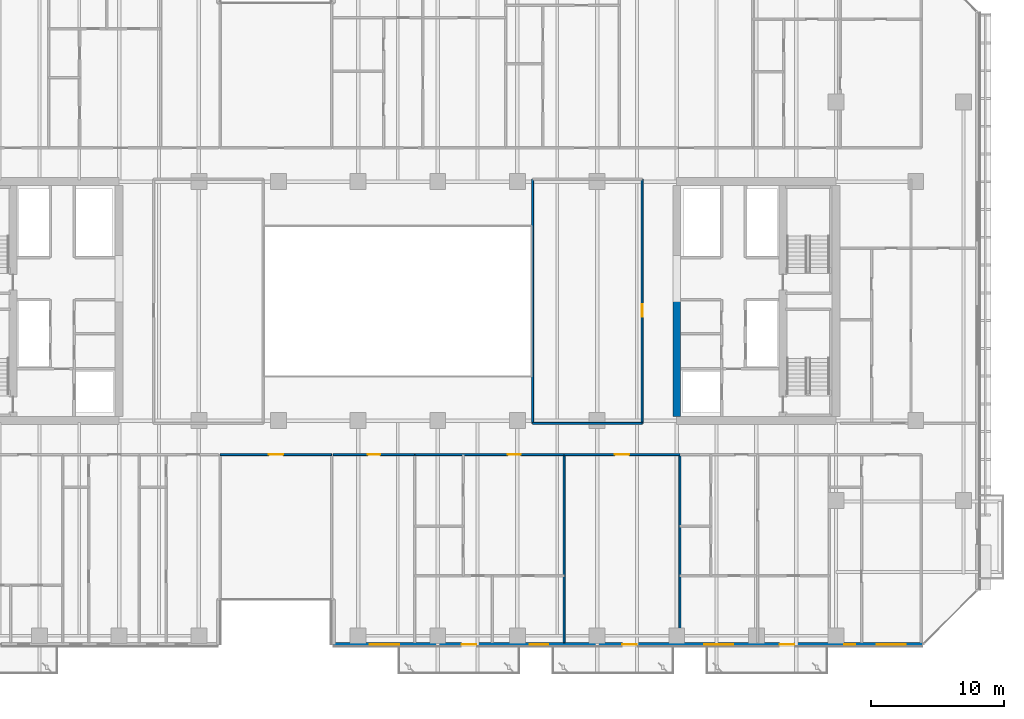
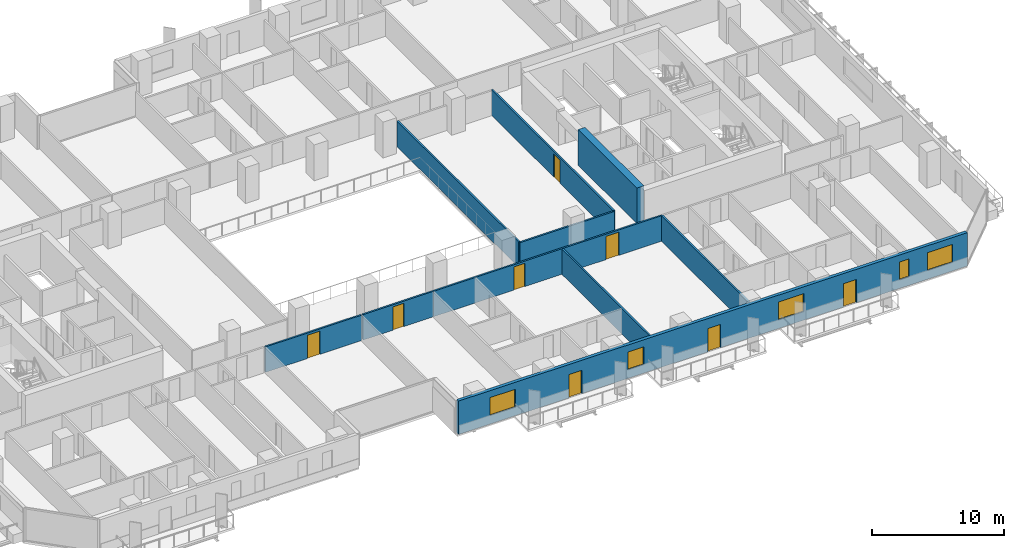
# One storey, part 19 of 33: 11 walls, 8 doors, 5 windows, 13 openings.
"""IFC4 building model written with IfcOpenShell, lengths in metres."""

from ifc_helpers import new_model, si_unit, direction, frame, frame_2d, origin, place, context, subcontext, project, spatial, rectangle, extrude, material, layer, layer_set, type_object, element, fill, save


model = new_model("IFC4")

# Units and contexts
model_context = context("Model", 3, precision=1e-05, world=origin(), true_north=direction((0.0, 1.0)))
body_context = subcontext(model_context, "Body", "Model", "MODEL_VIEW")
ifc_project = project(units=[si_unit("LENGTHUNIT", "METRE"), si_unit("AREAUNIT", "SQUARE_METRE"), si_unit("VOLUMEUNIT", "CUBIC_METRE"), si_unit("PLANEANGLEUNIT", "RADIAN"), si_unit("MASSUNIT", "GRAM", prefix="KILO")], contexts=[model_context])

# Site, building, storey
site_placement = place(None, origin())
site = spatial("IfcSite", under=ifc_project, at=site_placement, CompositionType="ELEMENT")
building_placement = place(site_placement, origin())
building = spatial("IfcBuilding", under=site, at=building_placement, Name="Tanjung Sevakor Pilgrim Tower", CompositionType="ELEMENT")
storey_placement = place(building_placement, frame((0.0, 0.0, 35.639892578125)))
storey = spatial("IfcBuildingStorey", under=building, at=storey_placement, Name="L09", CompositionType="ELEMENT", Elevation=35.639892578125)

# Walls
ifc_material_1 = material(Name="Concrete C60/75", Category="concrete")
ifc_layer_1 = layer(ifc_material_1, 0.60009765625)
ifc_layer_set_1 = layer_set([ifc_layer_1], Name="WALL-CW-600")
wall_type_1 = type_object("IfcWallType", Name="WALL-CW-600", PredefinedType="SHEAR", material=ifc_layer_set_1)
wall_1_placement = place(storey_placement, frame((78.0, 24.89990234375, 0.0), z_axis=(0.0, 0.0, 1.0), x_axis=(0.0, 1.0, 0.0)))
element("IfcWall", 1, at=wall_1_placement, inside=storey, type_object=wall_type_1, Name="L09 E Core Inner Shear Wall South", PredefinedType="SHEAR", context=body_context, shape_type="SweptSolid", body=[
    extrude(rectangle(XDim=8.900146484375, YDim=0.60009765625, at=frame_2d((4.4501953125, 0.0))), origin(), (0.0, 0.0, 1.0), 3.300048828125),
])
ifc_material_2 = material(Name="Concrete C40/50", Category="concrete")
ifc_layer_2 = layer(ifc_material_2, 0.14990234375)
ifc_layer_set_2 = layer_set([ifc_layer_2], Name="WT-COMP-150")
wall_type_2 = type_object("IfcWallType", Name="WT-COMP-150", PredefinedType="SOLIDWALL", material=ifc_layer_set_2)
wall_2_placement = place(storey_placement, frame((67.14990234375, 24.39990234375, 0.0), z_axis=(0.0, 0.0, 1.0), x_axis=(1.0, 0.0, 0.0)))
element("IfcWall", 2, at=wall_2_placement, inside=storey, type_object=wall_type_2, Name="L09 Partition IW-L09-027", PredefinedType="SOLIDWALL", context=body_context, shape_type="SweptSolid", body=[
    extrude(rectangle(XDim=8.25, YDim=0.14990234375, at=frame_2d((4.125, 0.0))), origin(), (0.0, 0.0, 1.0), 2.295166015625),
])
wall_3_placement = place(storey_placement, frame((67.14990234375, 24.39990234375, 0.0), z_axis=(0.0, 0.0, 1.0), x_axis=(0.0, 1.0, 0.0)))
element("IfcWall", 3, at=wall_3_placement, inside=storey, type_object=wall_type_2, Name="L09 Partition IW-L09-029", PredefinedType="SOLIDWALL", context=body_context, shape_type="SweptSolid", body=[
    extrude(rectangle(XDim=18.400146484375, YDim=0.14990234375, at=frame_2d((9.2001953125, 0.0))), origin(), (0.0, 0.0, 1.0), 2.35009765625),
])

# Wall, opening, door
wall_4_placement = place(storey_placement, frame((75.39990234375, 24.39990234375, 0.0), z_axis=(0.0, 0.0, 1.0), x_axis=(0.0, 1.0, 0.0)))
wall_4 = element("IfcWall", 4, at=wall_4_placement, inside=storey, type_object=wall_type_2, Name="L09 Partition IW-L09-030", PredefinedType="SOLIDWALL", context=body_context, shape_type="SweptSolid", body=[
    extrude(rectangle(XDim=18.400146484375, YDim=0.14990234375, at=frame_2d((9.2001953125, 0.0))), origin(), (0.0, 0.0, 1.0), 2.35009765625),
])
opening_1_placement = place(wall_4_placement, frame((8.02490234375, 0.0, 0.0)))
opening_1 = element("IfcOpeningElement", 5, at=opening_1_placement, cuts=wall_4, Name="Opening ID-RM1", PredefinedType="OPENING", context=body_context, shape_type="SweptSolid", body=[
    extrude(rectangle(XDim=0.949951171875, YDim=2.14990234375, at=frame_2d((0.47509765625, 1.074951171875))), frame((0.0, 0.0849609375, 0.0), z_axis=(0.0, -1.0, 0.0), x_axis=(1.0, 0.0, 0.0)), (0.0, 0.0, 1.0), 0.169921875),
])
ifc_material_3 = material(Name="Hardwood Timber", Category="wood")
door_type_1 = type_object("IfcDoorType", Name="DT-INT-950", OperationType="NOTDEFINED", PredefinedType="DOOR", material=ifc_material_3)
door_1_placement = place(opening_1_placement, origin())
door_1 = element("IfcDoor", 6, at=door_1_placement, inside=storey, type_object=door_type_1, Name="L09 Central East Room Door", OperationType="SINGLE_SWING_LEFT", OverallHeight=2.14990234375, OverallWidth=0.949951171875, PredefinedType="DOOR", context=body_context, shape_type="SweptSolid", body=[
    extrude(rectangle(XDim=0.949951171875, YDim=2.14990234375, at=frame_2d((0.47509765625, 1.074951171875))), frame((0.0, 0.02490234375, 0.0), z_axis=(0.0, -1.0, 0.0), x_axis=(1.0, 0.0, 0.0)), (0.0, 0.0, 1.0), 0.050048828125),
])
fill(opening_1, door_1)

wall_5_placement = place(storey_placement, frame((43.60009765625, 22.050048828125, 0.0), z_axis=(0.0, 0.0, 1.0), x_axis=(1.0, 0.0, 0.0)))
wall_5 = element("IfcWall", 7, at=wall_5_placement, inside=storey, type_object=wall_type_2, Name="L09 Partition IW-L09-038", PredefinedType="SOLIDWALL", context=body_context, shape_type="SweptSolid", body=[
    extrude(rectangle(XDim=8.39990234375, YDim=0.14990234375, at=frame_2d((4.199951171875, 0.0))), origin(), (0.0, 0.0, 1.0), 2.35009765625),
])
opening_2_placement = place(wall_5_placement, frame((3.64990234375, 0.0, 0.0)))
opening_2 = element("IfcOpeningElement", 8, at=opening_2_placement, cuts=wall_5, Name="Opening ID-RM2", PredefinedType="OPENING", context=body_context, shape_type="SweptSolid", body=[
    extrude(rectangle(XDim=1.10009765625, YDim=2.14990234375, at=frame_2d((0.550048828125, 1.074951171875))), frame((0.0, 0.0849609375, 0.0), z_axis=(0.0, -1.0, 0.0), x_axis=(1.0, 0.0, 0.0)), (0.0, 0.0, 1.0), 0.169921875),
])
ifc_material_4 = material(Name="Hardwood Timber", Category="wood")
door_type_2 = type_object("IfcDoorType", Name="DT-INT-1100", OperationType="NOTDEFINED", PredefinedType="DOOR", material=ifc_material_4)
door_2_placement = place(opening_2_placement, origin())
door_2 = element("IfcDoor", 9, at=door_2_placement, inside=storey, type_object=door_type_2, Name="L09 South Cleft Observatory Door", OperationType="SINGLE_SWING_LEFT", OverallHeight=2.14990234375, OverallWidth=1.10009765625, PredefinedType="DOOR", context=body_context, shape_type="SweptSolid", body=[
    extrude(rectangle(XDim=1.10009765625, YDim=2.14990234375, at=frame_2d((0.550048828125, 1.074951171875))), frame((0.0, 0.02490234375, 0.0), z_axis=(0.0, -1.0, 0.0), x_axis=(1.0, 0.0, 0.0)), (0.0, 0.0, 1.0), 0.050048828125),
])
fill(opening_2, door_2)

wall_6_placement = place(storey_placement, frame((52.1201171875, 22.050048828125, 0.0), z_axis=(0.0, 0.0, 1.0), x_axis=(1.0, 0.0, 0.0)))
wall_6 = element("IfcWall", 10, at=wall_6_placement, inside=storey, type_object=wall_type_2, Name="L09 Partition IW-L09-060", PredefinedType="SOLIDWALL", context=body_context, shape_type="SweptSolid", body=[
    extrude(rectangle(XDim=6.142822265625, YDim=0.14990234375, at=frame_2d((3.0712890625, 0.0))), origin(), (0.0, 0.0, 1.0), 2.35009765625),
])
opening_3_placement = place(wall_6_placement, frame((2.596435546875, 0.0, 0.0)))
opening_3 = element("IfcOpeningElement", 11, at=opening_3_placement, cuts=wall_6, Name="Opening ID-FD2", PredefinedType="OPENING", context=body_context, shape_type="SweptSolid", body=[
    extrude(rectangle(XDim=0.949951171875, YDim=2.14990234375, at=frame_2d((0.47509765625, 1.074951171875))), frame((0.0, 0.0849609375, 0.0), z_axis=(0.0, -1.0, 0.0), x_axis=(1.0, 0.0, 0.0)), (0.0, 0.0, 1.0), 0.169921875),
])
ifc_material_5 = material(Name="Fire-Rated Timber", Category="wood")
door_type_3 = type_object("IfcDoorType", Name="DT-FIRE-950", OperationType="NOTDEFINED", PredefinedType="DOOR", material=ifc_material_5)
door_3_placement = place(opening_3_placement, origin())
door_3 = element("IfcDoor", 12, at=door_3_placement, inside=storey, type_object=door_type_3, Name="Housekeeping Pantry Door", OperationType="SINGLE_SWING_RIGHT", OverallHeight=2.14990234375, OverallWidth=0.949951171875, PredefinedType="DOOR", context=body_context, shape_type="SweptSolid", body=[
    extrude(rectangle(XDim=0.949951171875, YDim=2.14990234375, at=frame_2d((0.47509765625, 1.074951171875))), frame((0.0, 0.02490234375, 0.0), z_axis=(0.0, -1.0, 0.0), x_axis=(1.0, 0.0, 0.0)), (0.0, 0.0, 1.0), 0.050048828125),
])
fill(opening_3, door_3)

# Wall
wall_7_placement = place(storey_placement, frame((69.52490234375, 7.8798828125, 0.0), z_axis=(0.0, 0.0, 1.0), x_axis=(0.0, 1.0, 0.0)))
element("IfcWall", 13, at=wall_7_placement, inside=storey, type_object=wall_type_2, Name="L09 Partition IW-L09-061", PredefinedType="SOLIDWALL", context=body_context, shape_type="SweptSolid", body=[
    extrude(rectangle(XDim=14.170166015625, YDim=0.14990234375, at=frame_2d((7.0849609375, 0.0))), origin(), (0.0, 0.0, 1.0), 2.35009765625),
])

# Wall, opening, door
wall_8_placement = place(storey_placement, frame((58.262939453125, 22.050048828125, 0.0), z_axis=(0.0, 0.0, 1.0), x_axis=(1.0, 0.0, 0.0)))
wall_8 = element("IfcWall", 14, at=wall_8_placement, inside=storey, type_object=wall_type_2, Name="L09 Partition IW-L09-066", PredefinedType="SOLIDWALL", context=body_context, shape_type="SweptSolid", body=[
    extrude(rectangle(XDim=11.261962890625, YDim=0.14990234375, at=frame_2d((5.630859375, 0.0))), origin(), (0.0, 0.0, 1.0), 2.35009765625),
])
opening_4_placement = place(wall_8_placement, frame((7.0244140625, 0.0, 0.0)))
opening_4 = element("IfcOpeningElement", 15, at=opening_4_placement, cuts=wall_8, Name="Opening ID-FD2", PredefinedType="OPENING", context=body_context, shape_type="SweptSolid", body=[
    extrude(rectangle(XDim=0.949951171875, YDim=2.14990234375, at=frame_2d((0.47509765625, 1.074951171875))), frame((0.0, 0.0849609375, 0.0), z_axis=(0.0, -1.0, 0.0), x_axis=(1.0, 0.0, 0.0)), (0.0, 0.0, 1.0), 0.169921875),
])
door_4_placement = place(opening_4_placement, origin())
door_4 = element("IfcDoor", 16, at=door_4_placement, inside=storey, type_object=door_type_3, Name="Suite Entrance", OperationType="SINGLE_SWING_LEFT", OverallHeight=2.14990234375, OverallWidth=0.949951171875, PredefinedType="DOOR", context=body_context, shape_type="SweptSolid", body=[
    extrude(rectangle(XDim=0.949951171875, YDim=2.14990234375, at=frame_2d((0.47509765625, 1.074951171875))), frame((0.0, 0.02490234375, 0.0), z_axis=(0.0, -1.0, 0.0), x_axis=(1.0, 0.0, 0.0)), (0.0, 0.0, 1.0), 0.050048828125),
])
fill(opening_4, door_4)

# Wall
wall_9_placement = place(storey_placement, frame((78.227294921875, 7.8798828125, 0.0), z_axis=(0.0, 0.0, 1.0), x_axis=(0.0, 1.0, 0.0)))
element("IfcWall", 17, at=wall_9_placement, inside=storey, type_object=wall_type_2, Name="L09 Partition IW-L09-067", PredefinedType="SOLIDWALL", context=body_context, shape_type="SweptSolid", body=[
    extrude(rectangle(XDim=14.170166015625, YDim=0.14990234375, at=frame_2d((7.0849609375, 0.0))), origin(), (0.0, 0.0, 1.0), 2.35009765625),
])

# Wall, opening, door
wall_10_placement = place(storey_placement, frame((69.52490234375, 22.050048828125, 0.0), z_axis=(0.0, 0.0, 1.0), x_axis=(1.0, 0.0, 0.0)))
wall_10 = element("IfcWall", 18, at=wall_10_placement, inside=storey, type_object=wall_type_2, Name="L09 Partition IW-L09-068", PredefinedType="SOLIDWALL", context=body_context, shape_type="SweptSolid", body=[
    extrude(rectangle(XDim=8.702392578125, YDim=0.14990234375, at=frame_2d((4.35107421875, 0.0))), origin(), (0.0, 0.0, 1.0), 2.35009765625),
])
opening_5_placement = place(wall_10_placement, frame((3.80126953125, 0.0, 0.0)))
opening_5 = element("IfcOpeningElement", 19, at=opening_5_placement, cuts=wall_10, Name="Opening ID-FD0", PredefinedType="OPENING", context=body_context, shape_type="SweptSolid", body=[
    extrude(rectangle(XDim=1.10009765625, YDim=2.14990234375, at=frame_2d((0.550048828125, 1.074951171875))), frame((0.0, 0.0849609375, 0.0), z_axis=(0.0, -1.0, 0.0), x_axis=(1.0, 0.0, 0.0)), (0.0, 0.0, 1.0), 0.169921875),
])
ifc_material_6 = material(Name="Fire-Rated Steel S355J2", Category="steel")
door_type_4 = type_object("IfcDoorType", Name="DT-FIRE-1100", OperationType="NOTDEFINED", PredefinedType="DOOR", material=ifc_material_6)
door_5_placement = place(opening_5_placement, origin())
door_5 = element("IfcDoor", 20, at=door_5_placement, inside=storey, type_object=door_type_4, Name="Communal Lounge Door", OperationType="SINGLE_SWING_RIGHT", OverallHeight=2.14990234375, OverallWidth=1.10009765625, PredefinedType="DOOR", context=body_context, shape_type="SweptSolid", body=[
    extrude(rectangle(XDim=1.10009765625, YDim=2.14990234375, at=frame_2d((0.550048828125, 1.074951171875))), frame((0.0, 0.02490234375, 0.0), z_axis=(0.0, -1.0, 0.0), x_axis=(1.0, 0.0, 0.0)), (0.0, 0.0, 1.0), 0.050048828125),
])
fill(opening_5, door_5)

# Wall, openings, doors, windows
ifc_material_7 = material(Name="Precast concrete C45/55", Category="concrete")
ifc_layer_3 = layer(ifc_material_7, 0.280029296875)
ifc_layer_set_3 = layer_set([ifc_layer_3], Name="WT-EW-STN2")
wall_type_3 = type_object("IfcWallType", Name="WT-EW-STN2", PredefinedType="SOLIDWALL", material=ifc_layer_set_3)
wall_11_placement = place(storey_placement, frame((52.139892578125, 7.739990234375, 0.0), z_axis=(0.0, 0.0, 1.0), x_axis=(1.0, 0.0, 0.0)))
wall_11 = element("IfcWall", 21, at=wall_11_placement, inside=storey, type_object=wall_type_3, Name="L09 MAIN Exterior Wall 5", PredefinedType="SOLIDWALL", context=body_context, shape_type="SweptSolid", body=[
    extrude(rectangle(XDim=44.402099609375, YDim=0.280029296875, at=frame_2d((22.201171875, 0.0))), origin(), (0.0, 0.0, 1.0), 3.080078125),
])
opening_6_placement = place(wall_11_placement, frame((9.659912109375, 0.0, 0.0)))
opening_6 = element("IfcOpeningElement", 22, at=opening_6_placement, cuts=wall_11, Name="Opening ED-BAL-1100", PredefinedType="OPENING", context=body_context, shape_type="SweptSolid", body=[
    extrude(rectangle(XDim=1.10009765625, YDim=2.14990234375, at=frame_2d((0.550048828125, 1.074951171875))), frame((0.0, 0.14990234375, 0.0), z_axis=(0.0, -1.0, 0.0), x_axis=(1.0, 0.0, 0.0)), (0.0, 0.0, 1.0), 0.300048828125),
])
opening_7_placement = place(wall_11_placement, frame((21.760009765625, 0.0, 0.0)))
opening_7 = element("IfcOpeningElement", 23, at=opening_7_placement, cuts=wall_11, Name="Opening ED-BAL-1100", PredefinedType="OPENING", context=body_context, shape_type="SweptSolid", body=[
    extrude(rectangle(XDim=1.10009765625, YDim=2.14990234375, at=frame_2d((0.550048828125, 1.074951171875))), frame((0.0, 0.14990234375, 0.0), z_axis=(0.0, -1.0, 0.0), x_axis=(1.0, 0.0, 0.0)), (0.0, 0.0, 1.0), 0.300048828125),
])
opening_8_placement = place(wall_11_placement, frame((33.610107421875, 0.0, 0.0)))
opening_8 = element("IfcOpeningElement", 24, at=opening_8_placement, cuts=wall_11, Name="Opening ED-BAL-1100", PredefinedType="OPENING", context=body_context, shape_type="SweptSolid", body=[
    extrude(rectangle(XDim=1.10009765625, YDim=2.14990234375, at=frame_2d((0.550048828125, 1.074951171875))), frame((0.0, 0.14990234375, 0.0), z_axis=(0.0, -1.0, 0.0), x_axis=(1.0, 0.0, 0.0)), (0.0, 0.0, 1.0), 0.300048828125),
])
opening_9_placement = place(wall_11_placement, frame((2.75146484375, 0.0, 0.780029296875)))
opening_9 = element("IfcOpeningElement", 25, at=opening_9_placement, cuts=wall_11, Name="Opening WN-Z1-1660", PredefinedType="OPENING", context=body_context, shape_type="SweptSolid", body=[
    extrude(rectangle(XDim=2.199951171875, YDim=1.659912109375, at=frame_2d((1.10009765625, 0.830078125))), frame((0.0, 0.14990234375, 0.0), z_axis=(0.0, -1.0, 0.0), x_axis=(1.0, 0.0, 0.0)), (0.0, 0.0, 1.0), 0.300048828125),
])
opening_10_placement = place(wall_11_placement, frame((14.77197265625, 0.0, 0.780029296875)))
opening_10 = element("IfcOpeningElement", 26, at=opening_10_placement, cuts=wall_11, Name="Opening WN-END", PredefinedType="OPENING", context=body_context, shape_type="SweptSolid", body=[
    extrude(rectangle(XDim=1.39990234375, YDim=1.64990234375, at=frame_2d((0.699951171875, 0.824951171875))), frame((0.0, 0.14990234375, 0.0), z_axis=(0.0, -1.0, 0.0), x_axis=(1.0, 0.0, 0.0)), (0.0, 0.0, 1.0), 0.300048828125),
])
opening_11_placement = place(wall_11_placement, frame((27.92529296875, 0.0, 0.780029296875)))
opening_11 = element("IfcOpeningElement", 27, at=opening_11_placement, cuts=wall_11, Name="Opening WN-Z1-1660", PredefinedType="OPENING", context=body_context, shape_type="SweptSolid", body=[
    extrude(rectangle(XDim=2.199951171875, YDim=1.659912109375, at=frame_2d((1.10009765625, 0.830078125))), frame((0.0, 0.14990234375, 0.0), z_axis=(0.0, -1.0, 0.0), x_axis=(1.0, 0.0, 0.0)), (0.0, 0.0, 1.0), 0.300048828125),
])
opening_12_placement = place(wall_11_placement, frame((38.4697265625, 0.0, 0.780029296875)))
opening_12 = element("IfcOpeningElement", 28, at=opening_12_placement, cuts=wall_11, Name="Opening WN-SLM", PredefinedType="OPENING", context=body_context, shape_type="SweptSolid", body=[
    extrude(rectangle(XDim=0.85009765625, YDim=1.64990234375, at=frame_2d((0.425048828125, 0.824951171875))), frame((0.0, 0.14990234375, 0.0), z_axis=(0.0, -1.0, 0.0), x_axis=(1.0, 0.0, 0.0)), (0.0, 0.0, 1.0), 0.300048828125),
])
opening_13_placement = place(wall_11_placement, frame((40.909912109375, 0.0, 0.780029296875)))
opening_13 = element("IfcOpeningElement", 29, at=opening_13_placement, cuts=wall_11, Name="Opening WN-Z1-1660", PredefinedType="OPENING", context=body_context, shape_type="SweptSolid", body=[
    extrude(rectangle(XDim=2.199951171875, YDim=1.659912109375, at=frame_2d((1.10009765625, 0.830078125))), frame((0.0, 0.14990234375, 0.0), z_axis=(0.0, -1.0, 0.0), x_axis=(1.0, 0.0, 0.0)), (0.0, 0.0, 1.0), 0.300048828125),
])
ifc_material_8 = material(Name="Anodised Aluminium and Laminated Glass", Category="aluminium")
door_type_5 = type_object("IfcDoorType", Name="DTYP-ED-BAL-1100", OperationType="NOTDEFINED", PredefinedType="DOOR", material=ifc_material_8)
door_6_placement = place(opening_6_placement, frame((1.10009765625, 0.0, 0.0), z_axis=(0.0, 0.0, 1.0), x_axis=(-1.0, 0.0, 0.0)))
door_6 = element("IfcDoor", 30, at=door_6_placement, inside=storey, type_object=door_type_5, Name="L09 Balcony Door MAIN-S2", OperationType="SINGLE_SWING_LEFT", OverallHeight=2.14990234375, OverallWidth=1.10009765625, PredefinedType="DOOR", context=body_context, shape_type="SweptSolid", body=[
    extrude(rectangle(XDim=1.10009765625, YDim=2.14990234375, at=frame_2d((0.550048828125, 1.074951171875))), frame((0.0, 0.02490234375, 0.0), z_axis=(0.0, -1.0, 0.0), x_axis=(1.0, 0.0, 0.0)), (0.0, 0.0, 1.0), 0.050048828125),
])
fill(opening_6, door_6)
door_7_placement = place(opening_7_placement, frame((1.10009765625, 0.0, 0.0), z_axis=(0.0, 0.0, 1.0), x_axis=(-1.0, 0.0, 0.0)))
door_7 = element("IfcDoor", 31, at=door_7_placement, inside=storey, type_object=door_type_5, Name="L09 Balcony Door MAIN-S3", OperationType="SINGLE_SWING_RIGHT", OverallHeight=2.14990234375, OverallWidth=1.10009765625, PredefinedType="DOOR", context=body_context, shape_type="SweptSolid", body=[
    extrude(rectangle(XDim=1.10009765625, YDim=2.14990234375, at=frame_2d((0.550048828125, 1.074951171875))), frame((0.0, 0.02490234375, 0.0), z_axis=(0.0, -1.0, 0.0), x_axis=(1.0, 0.0, 0.0)), (0.0, 0.0, 1.0), 0.050048828125),
])
fill(opening_7, door_7)
door_8_placement = place(opening_8_placement, frame((1.10009765625, 0.0, 0.0), z_axis=(0.0, 0.0, 1.0), x_axis=(-1.0, 0.0, 0.0)))
door_8 = element("IfcDoor", 32, at=door_8_placement, inside=storey, type_object=door_type_5, Name="L09 Balcony Door MAIN-S4", OperationType="SINGLE_SWING_LEFT", OverallHeight=2.14990234375, OverallWidth=1.10009765625, PredefinedType="DOOR", context=body_context, shape_type="SweptSolid", body=[
    extrude(rectangle(XDim=1.10009765625, YDim=2.14990234375, at=frame_2d((0.550048828125, 1.074951171875))), frame((0.0, 0.02490234375, 0.0), z_axis=(0.0, -1.0, 0.0), x_axis=(1.0, 0.0, 0.0)), (0.0, 0.0, 1.0), 0.050048828125),
])
fill(opening_8, door_8)
ifc_material_9 = material(Name="Thermally Broken Aluminium and Low-E Glass", Category="aluminium")
window_type_1 = type_object("IfcWindowType", Name="WTYP-WN-END", PartitioningType="SINGLE_PANEL", PredefinedType="WINDOW", material=ifc_material_9)
window_1_placement = place(opening_10_placement, origin())
window_1 = element("IfcWindow", 33, at=window_1_placement, inside=storey, type_object=window_type_1, Name="L09 Facade Window 02", OverallHeight=1.64990234375, OverallWidth=1.39990234375, PartitioningType="SINGLE_PANEL", PredefinedType="WINDOW", context=body_context, shape_type="SweptSolid", body=[
    extrude(rectangle(XDim=1.39990234375, YDim=1.64990234375, at=frame_2d((0.699951171875, 0.824951171875))), frame((0.0, 0.030029296875, 0.0), z_axis=(0.0, -1.0, 0.0), x_axis=(1.0, 0.0, 0.0)), (0.0, 0.0, 1.0), 0.06005859375),
])
fill(opening_10, window_1)
ifc_material_10 = material(Name="Thermally Broken Aluminium and Low-E Glass", Category="aluminium")
window_type_2 = type_object("IfcWindowType", Name="WTYP-WN-SLM", PartitioningType="SINGLE_PANEL", PredefinedType="WINDOW", material=ifc_material_10)
window_2_placement = place(opening_12_placement, origin())
window_2 = element("IfcWindow", 34, at=window_2_placement, inside=storey, type_object=window_type_2, Name="L09 Facade Window 04", OverallHeight=1.64990234375, OverallWidth=0.85009765625, PartitioningType="SINGLE_PANEL", PredefinedType="WINDOW", context=body_context, shape_type="SweptSolid", body=[
    extrude(rectangle(XDim=0.85009765625, YDim=1.64990234375, at=frame_2d((0.425048828125, 0.824951171875))), frame((0.0, 0.030029296875, 0.0), z_axis=(0.0, -1.0, 0.0), x_axis=(1.0, 0.0, 0.0)), (0.0, 0.0, 1.0), 0.06005859375),
])
fill(opening_12, window_2)
ifc_material_11 = material(Name="Thermally Broken Aluminium and Low-E Glass", Category="aluminium")
window_type_3 = type_object("IfcWindowType", Name="WTYP-WN-Z1-1660", PartitioningType="DOUBLE_PANEL_VERTICAL", PredefinedType="WINDOW", material=ifc_material_11)
window_3_placement = place(opening_9_placement, origin())
window_3 = element("IfcWindow", 35, at=window_3_placement, inside=storey, type_object=window_type_3, Name="L09 Facade Window 01", OverallHeight=1.659912109375, OverallWidth=2.199951171875, PartitioningType="SINGLE_PANEL", PredefinedType="WINDOW", context=body_context, shape_type="SweptSolid", body=[
    extrude(rectangle(XDim=2.199951171875, YDim=1.659912109375, at=frame_2d((1.10009765625, 0.830078125))), frame((0.0, 0.030029296875, 0.0), z_axis=(0.0, -1.0, 0.0), x_axis=(1.0, 0.0, 0.0)), (0.0, 0.0, 1.0), 0.06005859375),
])
fill(opening_9, window_3)
window_4_placement = place(opening_11_placement, origin())
window_4 = element("IfcWindow", 36, at=window_4_placement, inside=storey, type_object=window_type_3, Name="L09 Facade Window 03", OverallHeight=1.659912109375, OverallWidth=2.199951171875, PartitioningType="SINGLE_PANEL", PredefinedType="WINDOW", context=body_context, shape_type="SweptSolid", body=[
    extrude(rectangle(XDim=2.199951171875, YDim=1.659912109375, at=frame_2d((1.10009765625, 0.830078125))), frame((0.0, 0.030029296875, 0.0), z_axis=(0.0, -1.0, 0.0), x_axis=(1.0, 0.0, 0.0)), (0.0, 0.0, 1.0), 0.06005859375),
])
fill(opening_11, window_4)
window_5_placement = place(opening_13_placement, origin())
window_5 = element("IfcWindow", 37, at=window_5_placement, inside=storey, type_object=window_type_3, Name="L09 Facade Window 05", OverallHeight=1.659912109375, OverallWidth=2.199951171875, PartitioningType="SINGLE_PANEL", PredefinedType="WINDOW", context=body_context, shape_type="SweptSolid", body=[
    extrude(rectangle(XDim=2.199951171875, YDim=1.659912109375, at=frame_2d((1.10009765625, 0.830078125))), frame((0.0, 0.030029296875, 0.0), z_axis=(0.0, -1.0, 0.0), x_axis=(1.0, 0.0, 0.0)), (0.0, 0.0, 1.0), 0.06005859375),
])
fill(opening_13, window_5)

save(model, "model.ifc")
